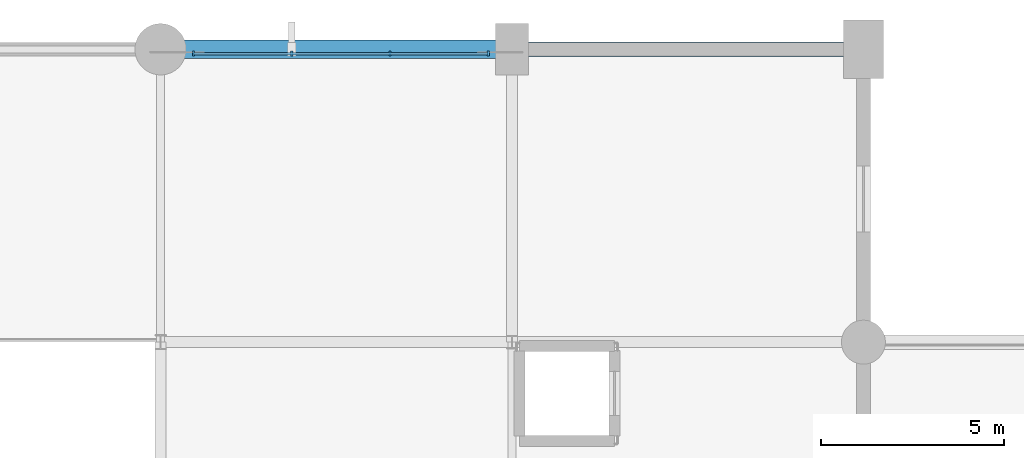
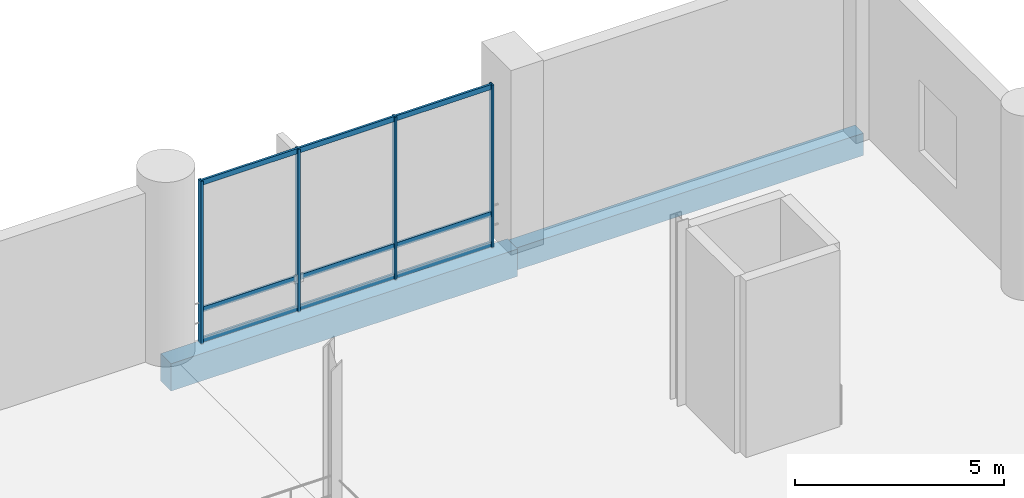
# One storey, part 67 of 129: 7 members, 2 beams, 1 element without a shape of its own.
"""IFC4 building model written with IfcOpenShell, lengths in metres."""

from ifc_helpers import new_model, si_unit, direction, frame, origin, origin_2d, place, context, subcontext, project, spatial, rectangle, extrude, material, material_profile, profile_set, type_object, element, aggregate, save


model = new_model("IFC4")

# Units and contexts
model_context = context("Model", 3, precision=1e-05, world=origin(), true_north=direction((0.0, 1.0)))
body_context = subcontext(model_context, "Body", "Model", "MODEL_VIEW")
ifc_project = project(units=[si_unit("LENGTHUNIT", "METRE"), si_unit("AREAUNIT", "SQUARE_METRE"), si_unit("VOLUMEUNIT", "CUBIC_METRE"), si_unit("PLANEANGLEUNIT", "RADIAN"), si_unit("MASSUNIT", "GRAM", prefix="KILO")], contexts=[model_context])

# Site, building, storey
site_placement = place(None, origin())
site = spatial("IfcSite", under=ifc_project, at=site_placement, CompositionType="ELEMENT")
building_placement = place(site_placement, origin())
building = spatial("IfcBuilding", under=site, at=building_placement, Name="Danafjord Basin Convention Centre", CompositionType="ELEMENT")
storey_placement = place(building_placement, frame((0.0, 0.0, 6.0)))
storey = spatial("IfcBuildingStorey", under=building, at=storey_placement, Name="L01", CompositionType="ELEMENT", Elevation=6.0)

# Beams
ifc_material_1 = material(Name="Precast concrete C45/55", Category="concrete")
ifc_material_profile_1 = material_profile(ifc_material_1, rectangle(XDim=0.39990234375, YDim=0.64990234375, at=origin_2d()), Name="PCB 400x650")
ifc_profile_set_1 = profile_set([ifc_material_profile_1], Name="Precast concrete C45/55")
beam_type_1 = type_object("IfcBeamType", Name="BEAM-SP-PCB650", PredefinedType="SPANDREL", material=ifc_profile_set_1)
beam_1_placement = place(storey_placement, frame((105.60009765625, 144.0, -0.574951171875), z_axis=(1.0, 0.0, 0.0), x_axis=(0.0, 1.0, 0.0)))
element("IfcBeam", 1, at=beam_1_placement, inside=storey, type_object=beam_type_1, Name="L01 girder SP-PCB650", PredefinedType="SPANDREL", context=body_context, shape_type="SweptSolid", body=[
    extrude(rectangle(XDim=0.39990234375, YDim=0.64990234375, at=origin_2d()), origin(), (0.0, 0.0, 1.0), 9.599853515625),
])
ifc_material_profile_2 = material_profile(ifc_material_1, rectangle(XDim=0.5, YDim=0.800048828125, at=origin_2d()), Name="PCB 500x800")
ifc_profile_set_2 = profile_set([ifc_material_profile_2], Name="Precast concrete C45/55")
beam_type_2 = type_object("IfcBeamType", Name="BEAM-SP-PCB800", PredefinedType="SPANDREL", material=ifc_profile_set_2)
beam_2_placement = place(storey_placement, frame((96.0, 144.0, -0.64990234375), z_axis=(1.0, 0.0, 0.0), x_axis=(0.0, 1.0, 0.0)))
element("IfcBeam", 2, at=beam_2_placement, inside=storey, type_object=beam_type_2, Name="L01 girder SP-PCB800", PredefinedType="SPANDREL", context=body_context, shape_type="SweptSolid", body=[
    extrude(rectangle(XDim=0.5, YDim=0.800048828125, at=origin_2d()), origin(), (0.0, 0.0, 1.0), 9.60009765625),
])

# Curtain wall, members
ifc_material_2 = material(Name="Anodised aluminium and triple glazing", Category="aluminium")
curtain_wall_type = type_object("IfcCurtainWallType", Name="CW-CW-HALL", PredefinedType="NOTDEFINED", material=ifc_material_2)
curtain_wall_placement = place(storey_placement, origin())
curtain_wall = element("IfcCurtainWall", 3, at=curtain_wall_placement, inside=storey, type_object=curtain_wall_type, Name="L01 CW-HALL unitised curtain wall bay 10", PredefinedType="NOTDEFINED")
ifc_material_3 = material(Name="Anodised aluminium EN AW-6060", Category="aluminium")
ifc_material_profile_3 = material_profile(ifc_material_3, rectangle(XDim=0.06005859375, YDim=0.139892578125, at=origin_2d()), Name="MULL 60x140")
ifc_profile_set_3 = profile_set([ifc_material_profile_3], Name="Anodised aluminium EN AW-6060")
member_type_1 = type_object("IfcMemberType", Name="MEM-ML-140", PredefinedType="MULLION", material=ifc_profile_set_3)
member_1_placement = place(storey_placement, frame((96.89990234375, 143.8798828125, -0.02490234375), z_axis=(0.0, 0.0, 1.0), x_axis=(1.0, 0.0, 0.0)))
member_1 = element("IfcMember", 4, at=member_1_placement, type_object=member_type_1, Name="CW-L01-010 mullion 1", PredefinedType="MULLION", context=body_context, shape_type="SweptSolid", body=[
    extrude(rectangle(XDim=0.06005859375, YDim=0.139892578125, at=origin_2d()), origin(), (0.0, 0.0, 1.0), 4.764892578125),
])
member_2_placement = place(storey_placement, frame((99.583251953125, 143.8798828125, -0.02490234375), z_axis=(0.0, 0.0, 1.0), x_axis=(1.0, 0.0, 0.0)))
member_2 = element("IfcMember", 5, at=member_2_placement, type_object=member_type_1, Name="CW-L01-010 mullion 2", PredefinedType="MULLION", context=body_context, shape_type="SweptSolid", body=[
    extrude(rectangle(XDim=0.06005859375, YDim=0.139892578125, at=origin_2d()), origin(), (0.0, 0.0, 1.0), 4.764892578125),
])
member_3_placement = place(storey_placement, frame((102.2666015625, 143.8798828125, -0.02490234375), z_axis=(0.0, 0.0, 1.0), x_axis=(1.0, 0.0, 0.0)))
member_3 = element("IfcMember", 6, at=member_3_placement, type_object=member_type_1, Name="CW-L01-010 mullion 3", PredefinedType="MULLION", context=body_context, shape_type="SweptSolid", body=[
    extrude(rectangle(XDim=0.06005859375, YDim=0.139892578125, at=origin_2d()), origin(), (0.0, 0.0, 1.0), 4.764892578125),
])
member_4_placement = place(storey_placement, frame((104.949951171875, 143.8798828125, -0.02490234375), z_axis=(0.0, 0.0, 1.0), x_axis=(1.0, 0.0, 0.0)))
member_4 = element("IfcMember", 7, at=member_4_placement, type_object=member_type_1, Name="CW-L01-010 mullion 4", PredefinedType="MULLION", context=body_context, shape_type="SweptSolid", body=[
    extrude(rectangle(XDim=0.06005859375, YDim=0.139892578125, at=origin_2d()), origin(), (0.0, 0.0, 1.0), 4.764892578125),
])
ifc_material_profile_4 = material_profile(ifc_material_3, rectangle(XDim=0.06005859375, YDim=0.14990234375, at=origin_2d()), Name="TRAN 60x150")
ifc_profile_set_4 = profile_set([ifc_material_profile_4], Name="Anodised aluminium EN AW-6060")
member_type_2 = type_object("IfcMemberType", Name="MEM-TR-150", PredefinedType="USERDEFINED", material=ifc_profile_set_4)
member_5_placement = place(storey_placement, frame((96.89990234375, 143.8798828125, 0.06005859375), z_axis=(1.0, 0.0, 0.0), x_axis=(0.0, 1.0, 0.0)))
member_5 = element("IfcMember", 8, at=member_5_placement, type_object=member_type_2, Name="CW-L01-010 transom 1", ObjectType="TRANSOM", PredefinedType="USERDEFINED", context=body_context, shape_type="SweptSolid", body=[
    extrude(rectangle(XDim=0.06005859375, YDim=0.14990234375, at=origin_2d()), origin(), (0.0, 0.0, 1.0), 8.050048828125),
])
member_6_placement = place(storey_placement, frame((96.89990234375, 143.8798828125, 0.949951171875), z_axis=(1.0, 0.0, 0.0), x_axis=(0.0, 1.0, 0.0)))
member_6 = element("IfcMember", 9, at=member_6_placement, type_object=member_type_2, Name="CW-L01-010 transom 2", ObjectType="TRANSOM", PredefinedType="USERDEFINED", context=body_context, shape_type="SweptSolid", body=[
    extrude(rectangle(XDim=0.06005859375, YDim=0.14990234375, at=origin_2d()), origin(), (0.0, 0.0, 1.0), 8.050048828125),
])
member_7_placement = place(storey_placement, frame((96.89990234375, 143.8798828125, 4.669921875), z_axis=(1.0, 0.0, 0.0), x_axis=(0.0, 1.0, 0.0)))
member_7 = element("IfcMember", 10, at=member_7_placement, type_object=member_type_2, Name="CW-L01-010 transom 3", ObjectType="TRANSOM", PredefinedType="USERDEFINED", context=body_context, shape_type="SweptSolid", body=[
    extrude(rectangle(XDim=0.06005859375, YDim=0.14990234375, at=origin_2d()), origin(), (0.0, 0.0, 1.0), 8.050048828125),
])
aggregate(curtain_wall, [member_1, member_2, member_3, member_4, member_5, member_6, member_7])

save(model, "model.ifc")
